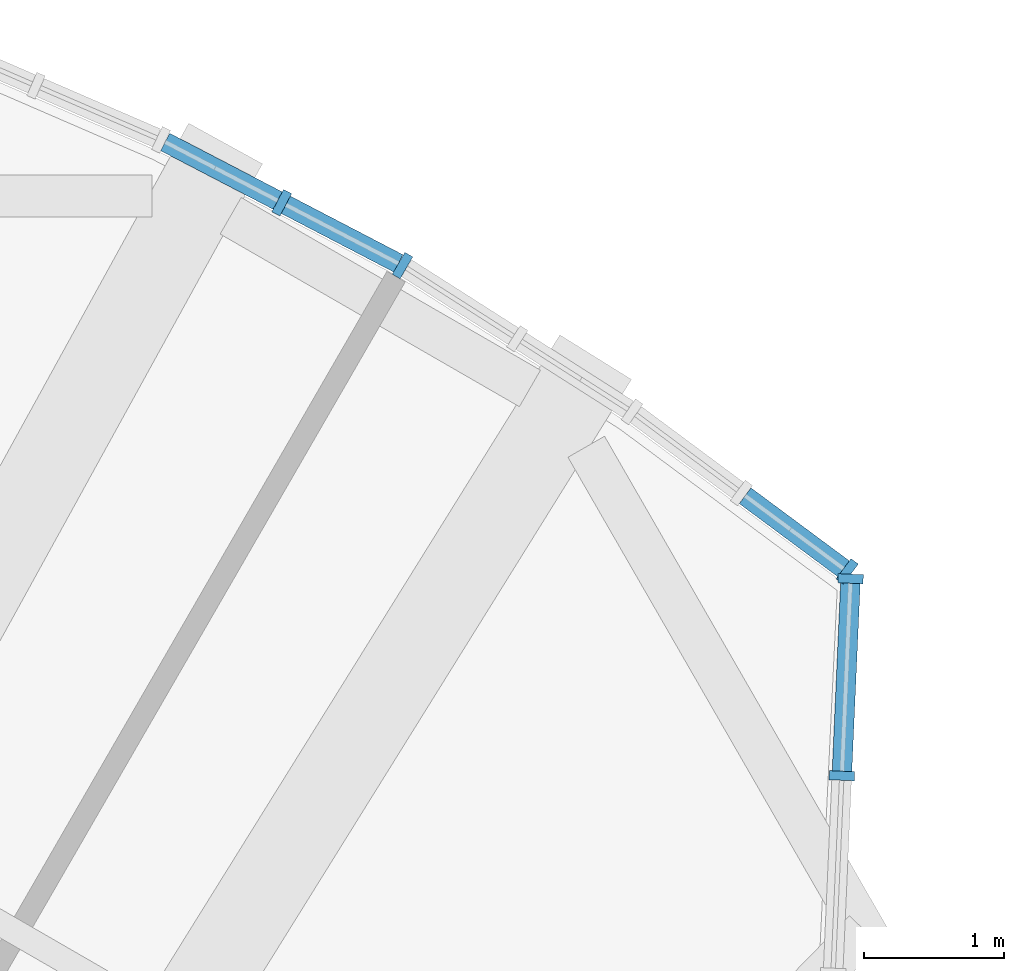
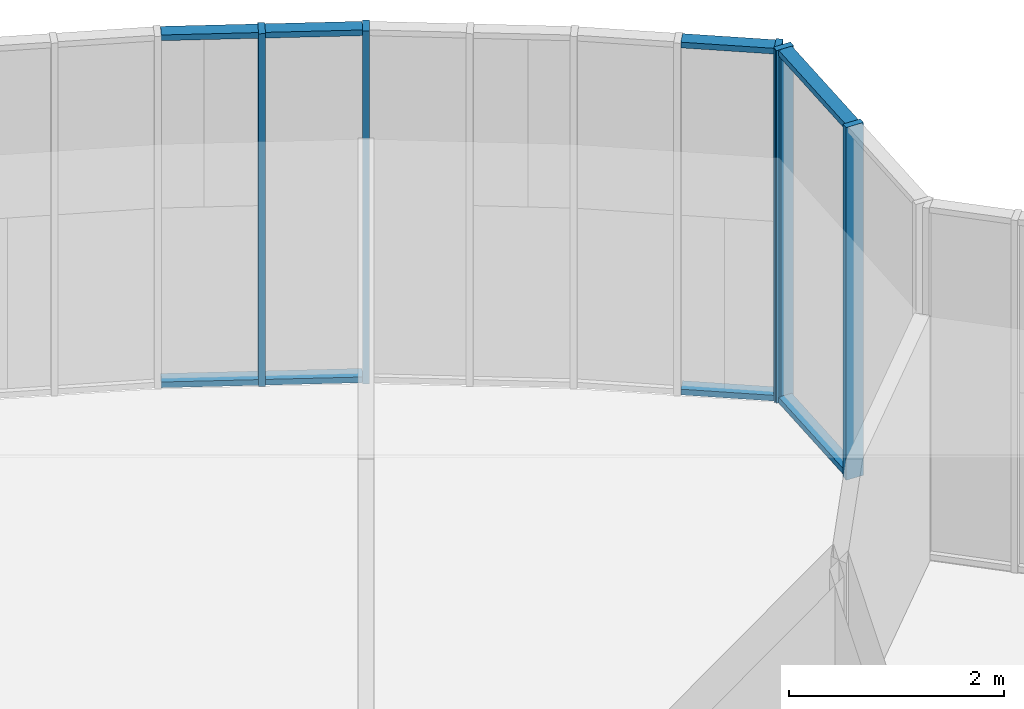
# One storey, part 8 of 24: 13 members, 4 elements without a shape of their own.
"""IFC4 building model written with IfcOpenShell, lengths in metres."""

from ifc_helpers import new_model, si_unit, direction, frame, origin, origin_2d, place, context, subcontext, project, spatial, rectangle, extrude, material, material_profile, profile_set, type_object, element, aggregate, save


model = new_model("IFC4")

# Units and contexts
model_context = context("Model", 3, precision=1e-05, world=origin(), true_north=direction((0.0, 1.0)))
body_context = subcontext(model_context, "Body", "Model", "MODEL_VIEW")
ifc_project = project(units=[si_unit("LENGTHUNIT", "METRE"), si_unit("AREAUNIT", "SQUARE_METRE"), si_unit("VOLUMEUNIT", "CUBIC_METRE"), si_unit("PLANEANGLEUNIT", "RADIAN"), si_unit("MASSUNIT", "GRAM", prefix="KILO")], contexts=[model_context])

# Site, building, storey
site_placement = place(None, origin())
site = spatial("IfcSite", under=ifc_project, at=site_placement, CompositionType="ELEMENT")
building_placement = place(site_placement, origin())
building = spatial("IfcBuilding", under=site, at=building_placement, Name="Golbaran Civic Tower", CompositionType="ELEMENT")
storey_placement = place(building_placement, frame((0.0, 0.0, 25.0)))
storey = spatial("IfcBuildingStorey", under=building, at=storey_placement, Name="L05", CompositionType="ELEMENT", Elevation=25.0)

# Curtain wall, members
ifc_material_1 = material(Name="Aluminium and glass", Category="aluminium")
curtain_wall_type = type_object("IfcCurtainWallType", Name="INNER SKIN CURTAIN WALL", PredefinedType="NOTDEFINED", material=ifc_material_1)
curtain_wall_1_placement = place(storey_placement, origin())
curtain_wall_1 = element("IfcCurtainWall", 1, at=curtain_wall_1_placement, inside=storey, type_object=curtain_wall_type, Name="Inner skin L05 facet 10 CW1", ObjectType="INNER SKIN", PredefinedType="USERDEFINED")
ifc_material_2 = material(Name="Aluminium", Category="aluminium")
ifc_material_profile_1 = material_profile(ifc_material_2, rectangle(XDim=0.179931640625, YDim=0.06494140625, at=origin_2d()), Name="INNER SKIN CURTAIN WALL MULLION")
ifc_profile_set_1 = profile_set([ifc_material_profile_1], Name="Aluminium")
member_type_1 = type_object("IfcMemberType", Name="INNER SKIN CURTAIN WALL MULLION", PredefinedType="MULLION", material=ifc_profile_set_1)
member_1_placement = place(storey_placement, frame((14.2392578125, 15.610595703125, 0.0), z_axis=(0.0, 0.0, 1.0), x_axis=(-0.999008307341, 0.044524171678, 0.0)))
member_1 = element("IfcMember", 2, at=member_1_placement, type_object=member_type_1, Name="CW1 mullion 2", PredefinedType="MULLION", context=body_context, shape_type="SweptSolid", body=[
    extrude(rectangle(XDim=0.179931640625, YDim=0.06494140625, at=origin_2d()), origin(), (0.0, 0.0, 1.0), 4.0),
])
member_2_placement = place(storey_placement, frame((14.3017578125, 17.013671875, 0.0), z_axis=(0.0, 0.0, 1.0), x_axis=(-0.999008307341, 0.044524171678, 0.0)))
member_2 = element("IfcMember", 3, at=member_2_placement, type_object=member_type_1, Name="CW1 mullion 3", PredefinedType="MULLION", context=body_context, shape_type="SweptSolid", body=[
    extrude(rectangle(XDim=0.179931640625, YDim=0.06494140625, at=origin_2d()), origin(), (0.0, 0.0, 1.0), 4.0),
])

# Curtain wall, member
curtain_wall_2_placement = place(storey_placement, origin())
curtain_wall_2 = element("IfcCurtainWall", 4, at=curtain_wall_2_placement, inside=storey, type_object=curtain_wall_type, Name="Inner skin L05 facet 11 CW1", ObjectType="INNER SKIN", PredefinedType="USERDEFINED")
member_3_placement = place(storey_placement, frame((14.277099609375, 17.0654296875, 0.0), z_axis=(0.0, 0.0, 1.0), x_axis=(-0.596019495177, -0.802969962931, 0.0)))
member_3 = element("IfcMember", 5, at=member_3_placement, type_object=member_type_1, Name="CW1 mullion 1", PredefinedType="MULLION", context=body_context, shape_type="SweptSolid", body=[
    extrude(rectangle(XDim=0.179931640625, YDim=0.06494140625, at=origin_2d()), origin(), (0.0, 0.0, 1.0), 4.0),
])

curtain_wall_3_placement = place(storey_placement, origin())
curtain_wall_3 = element("IfcCurtainWall", 6, at=curtain_wall_3_placement, inside=storey, type_object=curtain_wall_type, Name="Inner skin L05 facet 12 CW1", ObjectType="INNER SKIN", PredefinedType="USERDEFINED")
member_4_placement = place(storey_placement, frame((11.110595703125, 19.243896484375, 0.0), z_axis=(0.0, 0.0, 1.0), x_axis=(-0.500000000045, -0.866025403758, 0.0)))
member_4 = element("IfcMember", 7, at=member_4_placement, type_object=member_type_1, Name="CW1 mullion 3", PredefinedType="MULLION", context=body_context, shape_type="SweptSolid", body=[
    extrude(rectangle(XDim=0.179931640625, YDim=0.06494140625, at=origin_2d()), origin(), (0.0, 0.0, 1.0), 4.0),
])
aggregate(curtain_wall_3, [member_4])

curtain_wall_4_placement = place(storey_placement, origin())
curtain_wall_4 = element("IfcCurtainWall", 8, at=curtain_wall_4_placement, inside=storey, type_object=curtain_wall_type, Name="Inner skin L05 facet 13 CW1", ObjectType="INNER SKIN", PredefinedType="USERDEFINED")
member_5_placement = place(storey_placement, frame((10.250732421875, 19.69140625, 0.0), z_axis=(0.0, 0.0, 1.0), x_axis=(-0.461748613514, -0.887010833033, 0.0)))
member_5 = element("IfcMember", 9, at=member_5_placement, type_object=member_type_1, Name="CW1 mullion 2", PredefinedType="MULLION", context=body_context, shape_type="SweptSolid", body=[
    extrude(rectangle(XDim=0.179931640625, YDim=0.06494140625, at=origin_2d()), origin(), (0.0, 0.0, 1.0), 4.0),
])

# Member
ifc_material_profile_2 = material_profile(ifc_material_2, rectangle(XDim=0.139892578125, YDim=0.06494140625, at=origin_2d()), Name="INNER SKIN CURTAIN WALL TRANSOM")
ifc_profile_set_2 = profile_set([ifc_material_profile_2], Name="Aluminium")
member_type_2 = type_object("IfcMemberType", Name="INNER SKIN CURTAIN WALL TRANSOM", PredefinedType="USERDEFINED", material=ifc_profile_set_2)
member_6_placement = place(storey_placement, frame((14.24072265625, 15.64306640625, 0.032470703125), z_axis=(0.044655282167, 0.99900245534, 0.0), x_axis=(-0.99900245534, 0.044655282167, 0.0)))
member_6 = element("IfcMember", 10, at=member_6_placement, type_object=member_type_2, Name="CW1 transom 2.1", ObjectType="TRANSOM", PredefinedType="USERDEFINED", context=body_context, shape_type="SweptSolid", body=[
    extrude(rectangle(XDim=0.139892578125, YDim=0.06494140625, at=origin_2d()), origin(), (0.0, 0.0, 1.0), 1.33935546875),
])

member_7_placement = place(storey_placement, frame((14.24072265625, 15.64306640625, 3.967529296875), z_axis=(0.044655282167, 0.99900245534, 0.0), x_axis=(-0.99900245534, 0.044655282167, 0.0)))
member_7 = element("IfcMember", 11, at=member_7_placement, type_object=member_type_2, Name="CW1 transom 2.2", ObjectType="TRANSOM", PredefinedType="USERDEFINED", context=body_context, shape_type="SweptSolid", body=[
    extrude(rectangle(XDim=0.139892578125, YDim=0.06494140625, at=origin_2d()), origin(), (0.0, 0.0, 1.0), 1.33935546875),
])

aggregate(curtain_wall_1, [member_1, member_2, member_6, member_7])

member_8_placement = place(storey_placement, frame((14.251220703125, 17.084716796875, 0.032470703125), z_axis=(-0.803011640131, 0.595963342676, 0.0), x_axis=(-0.595963342676, -0.803011640131, 0.0)))
member_8 = element("IfcMember", 12, at=member_8_placement, type_object=member_type_2, Name="CW1 transom 1.1", ObjectType="TRANSOM", PredefinedType="USERDEFINED", context=body_context, shape_type="SweptSolid", body=[
    extrude(rectangle(XDim=0.139892578125, YDim=0.06494140625, at=origin_2d()), origin(), (0.0, 0.0, 1.0), 0.87255859375),
])

member_9_placement = place(storey_placement, frame((14.251220703125, 17.084716796875, 3.967529296875), z_axis=(-0.803011640131, 0.595963342676, 0.0), x_axis=(-0.595963342676, -0.803011640131, 0.0)))
member_9 = element("IfcMember", 13, at=member_9_placement, type_object=member_type_2, Name="CW1 transom 1.2", ObjectType="TRANSOM", PredefinedType="USERDEFINED", context=body_context, shape_type="SweptSolid", body=[
    extrude(rectangle(XDim=0.139892578125, YDim=0.06494140625, at=origin_2d()), origin(), (0.0, 0.0, 1.0), 0.87255859375),
])

aggregate(curtain_wall_2, [member_3, member_8, member_9])

member_10_placement = place(storey_placement, frame((11.081787109375, 19.259033203125, 0.032470703125), z_axis=(-0.887075321652, 0.461624710902, 0.0), x_axis=(-0.461624710902, -0.887075321652, 0.0)))
member_10 = element("IfcMember", 14, at=member_10_placement, type_object=member_type_2, Name="CW1 transom 1.1", ObjectType="TRANSOM", PredefinedType="USERDEFINED", context=body_context, shape_type="SweptSolid", body=[
    extrude(rectangle(XDim=0.139892578125, YDim=0.06494140625, at=origin_2d()), origin(), (0.0, 0.0, 1.0), 0.904296875),
])

member_11_placement = place(storey_placement, frame((11.081787109375, 19.259033203125, 3.967529296875), z_axis=(-0.887075321652, 0.461624710902, 0.0), x_axis=(-0.461624710902, -0.887075321652, 0.0)))
member_11 = element("IfcMember", 15, at=member_11_placement, type_object=member_type_2, Name="CW1 transom 1.2", ObjectType="TRANSOM", PredefinedType="USERDEFINED", context=body_context, shape_type="SweptSolid", body=[
    extrude(rectangle(XDim=0.139892578125, YDim=0.06494140625, at=origin_2d()), origin(), (0.0, 0.0, 1.0), 0.904296875),
])

member_12_placement = place(storey_placement, frame((10.221923828125, 19.70654296875, 0.032470703125), z_axis=(-0.887017774073, 0.461735279655, 0.0), x_axis=(-0.461735279655, -0.887017774073, 0.0)))
member_12 = element("IfcMember", 16, at=member_12_placement, type_object=member_type_2, Name="CW1 transom 2.1", ObjectType="TRANSOM", PredefinedType="USERDEFINED", context=body_context, shape_type="SweptSolid", body=[
    extrude(rectangle(XDim=0.139892578125, YDim=0.06494140625, at=origin_2d()), origin(), (0.0, 0.0, 1.0), 0.904052734375),
])

member_13_placement = place(storey_placement, frame((10.221923828125, 19.70654296875, 3.967529296875), z_axis=(-0.887017774073, 0.461735279655, 0.0), x_axis=(-0.461735279655, -0.887017774073, 0.0)))
member_13 = element("IfcMember", 17, at=member_13_placement, type_object=member_type_2, Name="CW1 transom 2.2", ObjectType="TRANSOM", PredefinedType="USERDEFINED", context=body_context, shape_type="SweptSolid", body=[
    extrude(rectangle(XDim=0.139892578125, YDim=0.06494140625, at=origin_2d()), origin(), (0.0, 0.0, 1.0), 0.904052734375),
])

aggregate(curtain_wall_4, [member_5, member_10, member_11, member_12, member_13])

save(model, "model.ifc")
